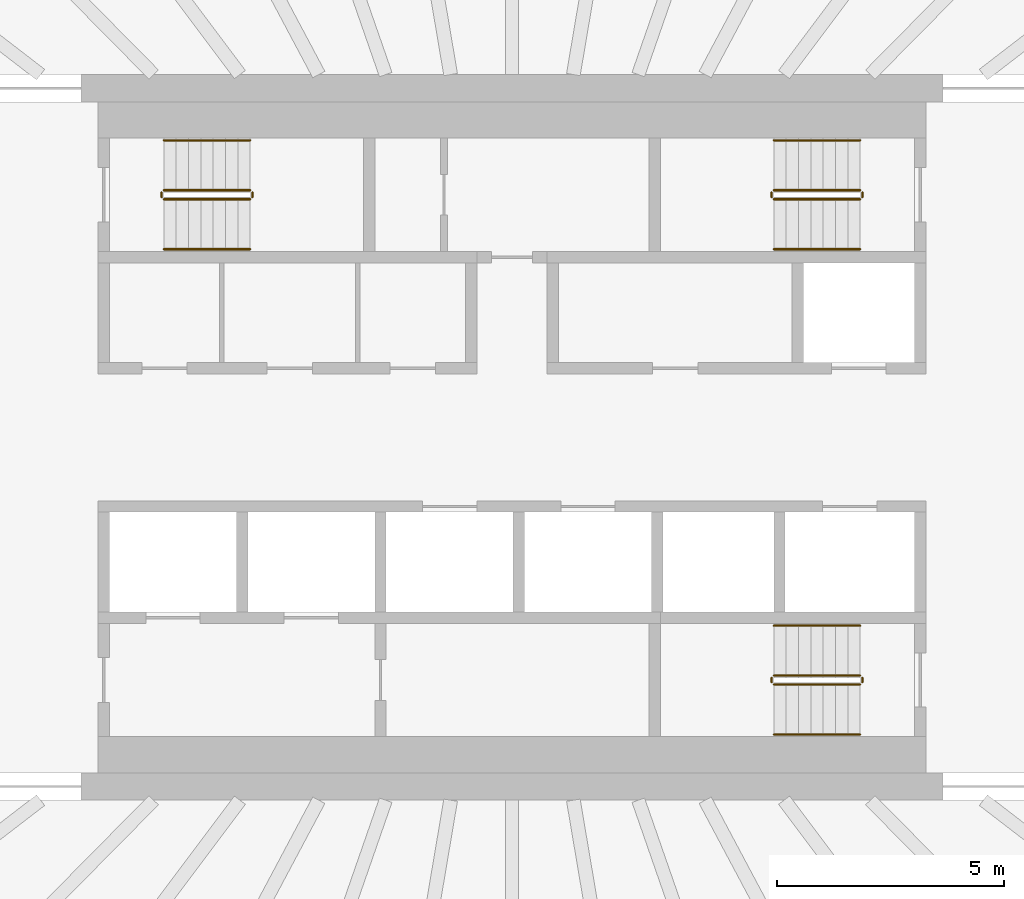
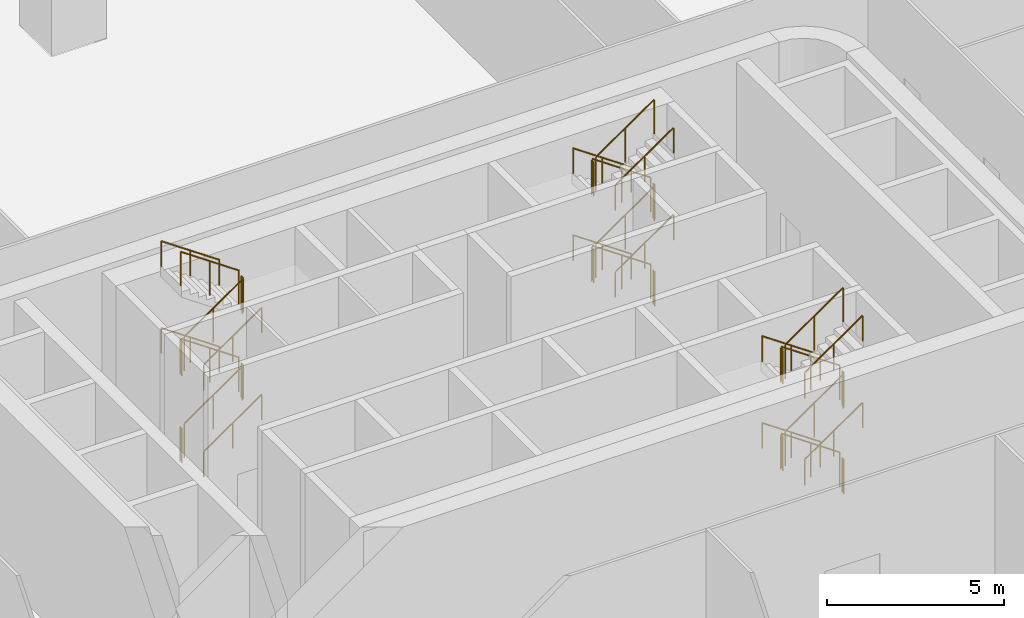
# One storey, part 36 of 37: 36 railings.
"""IFC4 building model written with IfcOpenShell, lengths in metres."""

from ifc_helpers import new_model, si_unit, direction, frame, origin, origin_2d, place, context, subcontext, project, spatial, circle, extrude, material, type_object, element, save


model = new_model("IFC4")

# Units and contexts
model_context = context("Model", 3, precision=1e-05, world=origin(), true_north=direction((0.0, 1.0)))
body_context = subcontext(model_context, "Body", "Model", "MODEL_VIEW")
ifc_project = project(units=[si_unit("LENGTHUNIT", "METRE"), si_unit("AREAUNIT", "SQUARE_METRE"), si_unit("VOLUMEUNIT", "CUBIC_METRE"), si_unit("PLANEANGLEUNIT", "RADIAN"), si_unit("MASSUNIT", "GRAM", prefix="KILO")], contexts=[model_context])

# Site, building, storey
site_placement = place(None, origin())
site = spatial("IfcSite", under=ifc_project, at=site_placement, CompositionType="ELEMENT")
building_placement = place(site_placement, origin())
building = spatial("IfcBuilding", under=site, at=building_placement, Name="Sahrelin Media Tower", CompositionType="ELEMENT")
storey_placement = place(building_placement, frame((0.0, 0.0, 31.39990234375)))
storey = spatial("IfcBuildingStorey", under=building, at=storey_placement, Name="L04", CompositionType="ELEMENT", Elevation=31.39990234375)

# Railings
ifc_material = material(Name="Steel S355", Category="steel")
railing_type_1 = type_object("IfcRailingType", Name="Stair guard 1200", PredefinedType="GUARDRAIL", material=ifc_material)
railing_1_placement = place(storey_placement, frame((-7.675048828125, 5.25, 0.1875)))
element("IfcRailing", 1, at=railing_1_placement, inside=storey, type_object=railing_type_1, Name="L04 ST1 stair guard 1", PredefinedType="GUARDRAIL", context=body_context, shape_type="SweptSolid", body=[
    extrude(circle(Radius=0.02392578125, at=origin_2d()), frame((0.0, 0.0, 1.17578125), z_axis=(0.822796852201, 0.0, 0.56833558749), x_axis=(0.0, 1.0, 0.0)), (0.0, 0.0, 1.0), 2.309326171875),
    extrude(circle(Radius=0.02099609375, at=origin_2d()), origin(), (0.0, 0.0, 1.0), 1.15185546875),
    extrude(circle(Radius=0.02099609375, at=origin_2d()), frame((0.9501953125, 0.0, 0.65625)), (0.0, 0.0, 1.0), 1.15185546875),
    extrude(circle(Radius=0.02099609375, at=origin_2d()), frame((1.900146484375, 0.0, 1.3125)), (0.0, 0.0, 1.0), 1.15185546875),
])
railing_2_placement = place(storey_placement, frame((-5.72509765625, 5.300048828125, 1.5)))
element("IfcRailing", 2, at=railing_2_placement, inside=storey, type_object=railing_type_1, Name="L04 ST1 stair guard 2", PredefinedType="GUARDRAIL", context=body_context, shape_type="SweptSolid", body=[
    extrude(circle(Radius=0.02392578125, at=origin_2d()), frame((0.0, 0.0, 1.17578125), z_axis=(0.0, 1.0, 0.0), x_axis=(-1.0, 0.0, 0.0)), (0.0, 0.0, 1.0), 0.099853515625),
    extrude(circle(Radius=0.02099609375, at=origin_2d()), origin(), (0.0, 0.0, 1.0), 1.15185546875),
    extrude(circle(Radius=0.02099609375, at=origin_2d()), frame((0.0, 0.099853515625, 0.0)), (0.0, 0.0, 1.0), 1.15185546875),
])
railing_3_placement = place(storey_placement, frame((-5.77490234375, 5.449951171875, 1.6875)))
element("IfcRailing", 3, at=railing_3_placement, inside=storey, type_object=railing_type_1, Name="L04 ST1 stair guard 3", PredefinedType="GUARDRAIL", context=body_context, shape_type="SweptSolid", body=[
    extrude(circle(Radius=0.02392578125, at=origin_2d()), frame((0.0, 0.0, 1.17578125), z_axis=(-0.822796852201, 0.0, 0.56833558749), x_axis=(0.0, -1.0, 0.0)), (0.0, 0.0, 1.0), 2.309326171875),
    extrude(circle(Radius=0.02099609375, at=origin_2d()), origin(), (0.0, 0.0, 1.0), 1.15185546875),
    extrude(circle(Radius=0.02099609375, at=origin_2d()), frame((-0.9501953125, 0.0, 0.65625)), (0.0, 0.0, 1.0), 1.15185546875),
    extrude(circle(Radius=0.02099609375, at=origin_2d()), frame((-1.900146484375, 0.0, 1.3125)), (0.0, 0.0, 1.0), 1.15185546875),
])
railing_4_placement = place(storey_placement, frame((-7.72509765625, 5.300048828125, 3.0)))
element("IfcRailing", 4, at=railing_4_placement, inside=storey, type_object=railing_type_1, Name="L04 ST1 stair guard 4", PredefinedType="GUARDRAIL", context=body_context, shape_type="SweptSolid", body=[
    extrude(circle(Radius=0.02392578125, at=origin_2d()), frame((0.0, 0.0, 1.17578125), z_axis=(0.0, 1.0, 0.0), x_axis=(-1.0, 0.0, 0.0)), (0.0, 0.0, 1.0), 0.099853515625),
    extrude(circle(Radius=0.02099609375, at=origin_2d()), origin(), (0.0, 0.0, 1.0), 1.15185546875),
    extrude(circle(Radius=0.02099609375, at=origin_2d()), frame((0.0, 0.099853515625, 0.0)), (0.0, 0.0, 1.0), 1.15185546875),
])
railing_5_placement = place(storey_placement, frame((-7.675048828125, 5.25, 3.1875)))
element("IfcRailing", 5, at=railing_5_placement, inside=storey, type_object=railing_type_1, Name="L04 ST1 stair guard 5", PredefinedType="GUARDRAIL", context=body_context, shape_type="SweptSolid", body=[
    extrude(circle(Radius=0.02392578125, at=origin_2d()), frame((0.0, 0.0, 1.17578125), z_axis=(0.822796852201, 0.0, 0.56833558749), x_axis=(0.0, 1.0, 0.0)), (0.0, 0.0, 1.0), 2.309326171875),
    extrude(circle(Radius=0.02099609375, at=origin_2d()), origin(), (0.0, 0.0, 1.0), 1.15185546875),
    extrude(circle(Radius=0.02099609375, at=origin_2d()), frame((0.9501953125, 0.0, 0.65625)), (0.0, 0.0, 1.0), 1.15185546875),
    extrude(circle(Radius=0.02099609375, at=origin_2d()), frame((1.900146484375, 0.0, 1.3125)), (0.0, 0.0, 1.0), 1.15185546875),
])
railing_6_placement = place(storey_placement, frame((-5.72509765625, 5.300048828125, 4.5)))
element("IfcRailing", 6, at=railing_6_placement, inside=storey, type_object=railing_type_1, Name="L04 ST1 stair guard 6", PredefinedType="GUARDRAIL", context=body_context, shape_type="SweptSolid", body=[
    extrude(circle(Radius=0.02392578125, at=origin_2d()), frame((0.0, 0.0, 1.17578125), z_axis=(0.0, 1.0, 0.0), x_axis=(-1.0, 0.0, 0.0)), (0.0, 0.0, 1.0), 0.099853515625),
    extrude(circle(Radius=0.02099609375, at=origin_2d()), origin(), (0.0, 0.0, 1.0), 1.15185546875),
    extrude(circle(Radius=0.02099609375, at=origin_2d()), frame((0.0, 0.099853515625, 0.0)), (0.0, 0.0, 1.0), 1.15185546875),
])
railing_7_placement = place(storey_placement, frame((-5.77490234375, 5.449951171875, 4.6875)))
element("IfcRailing", 7, at=railing_7_placement, inside=storey, type_object=railing_type_1, Name="L04 ST1 stair guard 7", PredefinedType="GUARDRAIL", context=body_context, shape_type="SweptSolid", body=[
    extrude(circle(Radius=0.02392578125, at=origin_2d()), frame((0.0, 0.0, 1.17578125), z_axis=(-0.822796852201, 0.0, 0.56833558749), x_axis=(0.0, -1.0, 0.0)), (0.0, 0.0, 1.0), 2.309326171875),
    extrude(circle(Radius=0.02099609375, at=origin_2d()), origin(), (0.0, 0.0, 1.0), 1.15185546875),
    extrude(circle(Radius=0.02099609375, at=origin_2d()), frame((-0.9501953125, 0.0, 0.65625)), (0.0, 0.0, 1.0), 1.15185546875),
    extrude(circle(Radius=0.02099609375, at=origin_2d()), frame((-1.900146484375, 0.0, 1.3125)), (0.0, 0.0, 1.0), 1.15185546875),
])
railing_8_placement = place(storey_placement, frame((-7.72509765625, 5.300048828125, 0.0)))
element("IfcRailing", 8, at=railing_8_placement, inside=storey, type_object=railing_type_1, Name="L04 ST1 stair guard 8", PredefinedType="GUARDRAIL", context=body_context, shape_type="SweptSolid", body=[
    extrude(circle(Radius=0.02392578125, at=origin_2d()), frame((0.0, 0.0, 1.17578125), z_axis=(0.0, 1.0, 0.0), x_axis=(-1.0, 0.0, 0.0)), (0.0, 0.0, 1.0), 0.099853515625),
    extrude(circle(Radius=0.02099609375, at=origin_2d()), origin(), (0.0, 0.0, 1.0), 1.15185546875),
    extrude(circle(Radius=0.02099609375, at=origin_2d()), frame((0.0, 0.099853515625, 0.0)), (0.0, 0.0, 1.0), 1.15185546875),
])
railing_9_placement = place(storey_placement, frame((7.675048828125, 5.449951171875, 0.1875)))
element("IfcRailing", 9, at=railing_9_placement, inside=storey, type_object=railing_type_1, Name="L04 ST3 stair guard 1", PredefinedType="GUARDRAIL", context=body_context, shape_type="SweptSolid", body=[
    extrude(circle(Radius=0.02392578125, at=origin_2d()), frame((0.0, 0.0, 1.17578125), z_axis=(-0.822796852201, 0.0, 0.56833558749), x_axis=(0.0, -1.0, 0.0)), (0.0, 0.0, 1.0), 2.309326171875),
    extrude(circle(Radius=0.02099609375, at=origin_2d()), origin(), (0.0, 0.0, 1.0), 1.15185546875),
    extrude(circle(Radius=0.02099609375, at=origin_2d()), frame((-0.9501953125, 0.0, 0.65625)), (0.0, 0.0, 1.0), 1.15185546875),
    extrude(circle(Radius=0.02099609375, at=origin_2d()), frame((-1.900146484375, 0.0, 1.3125)), (0.0, 0.0, 1.0), 1.15185546875),
])
railing_10_placement = place(storey_placement, frame((5.72509765625, 5.39990234375, 1.5)))
element("IfcRailing", 10, at=railing_10_placement, inside=storey, type_object=railing_type_1, Name="L04 ST3 stair guard 2", PredefinedType="GUARDRAIL", context=body_context, shape_type="SweptSolid", body=[
    extrude(circle(Radius=0.02392578125, at=origin_2d()), frame((0.0, 0.0, 1.17578125), z_axis=(0.0, -1.0, 0.0), x_axis=(1.0, 0.0, 0.0)), (0.0, 0.0, 1.0), 0.099853515625),
    extrude(circle(Radius=0.02099609375, at=origin_2d()), origin(), (0.0, 0.0, 1.0), 1.15185546875),
    extrude(circle(Radius=0.02099609375, at=origin_2d()), frame((0.0, -0.099853515625, 0.0)), (0.0, 0.0, 1.0), 1.15185546875),
])
railing_11_placement = place(storey_placement, frame((5.77490234375, 5.25, 1.6875)))
element("IfcRailing", 11, at=railing_11_placement, inside=storey, type_object=railing_type_1, Name="L04 ST3 stair guard 3", PredefinedType="GUARDRAIL", context=body_context, shape_type="SweptSolid", body=[
    extrude(circle(Radius=0.02392578125, at=origin_2d()), frame((0.0, 0.0, 1.17578125), z_axis=(0.822796852201, 0.0, 0.56833558749), x_axis=(0.0, 1.0, 0.0)), (0.0, 0.0, 1.0), 2.309326171875),
    extrude(circle(Radius=0.02099609375, at=origin_2d()), origin(), (0.0, 0.0, 1.0), 1.15185546875),
    extrude(circle(Radius=0.02099609375, at=origin_2d()), frame((0.9501953125, 0.0, 0.65625)), (0.0, 0.0, 1.0), 1.15185546875),
    extrude(circle(Radius=0.02099609375, at=origin_2d()), frame((1.900146484375, 0.0, 1.3125)), (0.0, 0.0, 1.0), 1.15185546875),
])
railing_12_placement = place(storey_placement, frame((7.72509765625, 5.39990234375, 3.0)))
element("IfcRailing", 12, at=railing_12_placement, inside=storey, type_object=railing_type_1, Name="L04 ST3 stair guard 4", PredefinedType="GUARDRAIL", context=body_context, shape_type="SweptSolid", body=[
    extrude(circle(Radius=0.02392578125, at=origin_2d()), frame((0.0, 0.0, 1.17578125), z_axis=(0.0, -1.0, 0.0), x_axis=(1.0, 0.0, 0.0)), (0.0, 0.0, 1.0), 0.099853515625),
    extrude(circle(Radius=0.02099609375, at=origin_2d()), origin(), (0.0, 0.0, 1.0), 1.15185546875),
    extrude(circle(Radius=0.02099609375, at=origin_2d()), frame((0.0, -0.099853515625, 0.0)), (0.0, 0.0, 1.0), 1.15185546875),
])
railing_13_placement = place(storey_placement, frame((7.675048828125, 5.449951171875, 3.1875)))
element("IfcRailing", 13, at=railing_13_placement, inside=storey, type_object=railing_type_1, Name="L04 ST3 stair guard 5", PredefinedType="GUARDRAIL", context=body_context, shape_type="SweptSolid", body=[
    extrude(circle(Radius=0.02392578125, at=origin_2d()), frame((0.0, 0.0, 1.17578125), z_axis=(-0.822796852201, 0.0, 0.56833558749), x_axis=(0.0, -1.0, 0.0)), (0.0, 0.0, 1.0), 2.309326171875),
    extrude(circle(Radius=0.02099609375, at=origin_2d()), origin(), (0.0, 0.0, 1.0), 1.15185546875),
    extrude(circle(Radius=0.02099609375, at=origin_2d()), frame((-0.9501953125, 0.0, 0.65625)), (0.0, 0.0, 1.0), 1.15185546875),
    extrude(circle(Radius=0.02099609375, at=origin_2d()), frame((-1.900146484375, 0.0, 1.3125)), (0.0, 0.0, 1.0), 1.15185546875),
])
railing_14_placement = place(storey_placement, frame((5.72509765625, 5.39990234375, 4.5)))
element("IfcRailing", 14, at=railing_14_placement, inside=storey, type_object=railing_type_1, Name="L04 ST3 stair guard 6", PredefinedType="GUARDRAIL", context=body_context, shape_type="SweptSolid", body=[
    extrude(circle(Radius=0.02392578125, at=origin_2d()), frame((0.0, 0.0, 1.17578125), z_axis=(0.0, -1.0, 0.0), x_axis=(1.0, 0.0, 0.0)), (0.0, 0.0, 1.0), 0.099853515625),
    extrude(circle(Radius=0.02099609375, at=origin_2d()), origin(), (0.0, 0.0, 1.0), 1.15185546875),
    extrude(circle(Radius=0.02099609375, at=origin_2d()), frame((0.0, -0.099853515625, 0.0)), (0.0, 0.0, 1.0), 1.15185546875),
])
railing_15_placement = place(storey_placement, frame((5.77490234375, 5.25, 4.6875)))
element("IfcRailing", 15, at=railing_15_placement, inside=storey, type_object=railing_type_1, Name="L04 ST3 stair guard 7", PredefinedType="GUARDRAIL", context=body_context, shape_type="SweptSolid", body=[
    extrude(circle(Radius=0.02392578125, at=origin_2d()), frame((0.0, 0.0, 1.17578125), z_axis=(0.822796852201, 0.0, 0.56833558749), x_axis=(0.0, 1.0, 0.0)), (0.0, 0.0, 1.0), 2.309326171875),
    extrude(circle(Radius=0.02099609375, at=origin_2d()), origin(), (0.0, 0.0, 1.0), 1.15185546875),
    extrude(circle(Radius=0.02099609375, at=origin_2d()), frame((0.9501953125, 0.0, 0.65625)), (0.0, 0.0, 1.0), 1.15185546875),
    extrude(circle(Radius=0.02099609375, at=origin_2d()), frame((1.900146484375, 0.0, 1.3125)), (0.0, 0.0, 1.0), 1.15185546875),
])
railing_16_placement = place(storey_placement, frame((7.72509765625, 5.39990234375, 0.0)))
element("IfcRailing", 16, at=railing_16_placement, inside=storey, type_object=railing_type_1, Name="L04 ST3 stair guard 8", PredefinedType="GUARDRAIL", context=body_context, shape_type="SweptSolid", body=[
    extrude(circle(Radius=0.02392578125, at=origin_2d()), frame((0.0, 0.0, 1.17578125), z_axis=(0.0, -1.0, 0.0), x_axis=(1.0, 0.0, 0.0)), (0.0, 0.0, 1.0), 0.099853515625),
    extrude(circle(Radius=0.02099609375, at=origin_2d()), origin(), (0.0, 0.0, 1.0), 1.15185546875),
    extrude(circle(Radius=0.02099609375, at=origin_2d()), frame((0.0, -0.099853515625, 0.0)), (0.0, 0.0, 1.0), 1.15185546875),
])
railing_17_placement = place(storey_placement, frame((7.675048828125, -5.25, 0.1875)))
element("IfcRailing", 17, at=railing_17_placement, inside=storey, type_object=railing_type_1, Name="L04 ST2 stair guard 1", PredefinedType="GUARDRAIL", context=body_context, shape_type="SweptSolid", body=[
    extrude(circle(Radius=0.02392578125, at=origin_2d()), frame((0.0, 0.0, 1.17578125), z_axis=(-0.822796852201, 0.0, 0.56833558749), x_axis=(0.0, -1.0, 0.0)), (0.0, 0.0, 1.0), 2.309326171875),
    extrude(circle(Radius=0.02099609375, at=origin_2d()), origin(), (0.0, 0.0, 1.0), 1.15185546875),
    extrude(circle(Radius=0.02099609375, at=origin_2d()), frame((-0.9501953125, 0.0, 0.65625)), (0.0, 0.0, 1.0), 1.15185546875),
    extrude(circle(Radius=0.02099609375, at=origin_2d()), frame((-1.900146484375, 0.0, 1.3125)), (0.0, 0.0, 1.0), 1.15185546875),
])
railing_18_placement = place(storey_placement, frame((5.72509765625, -5.300048828125, 1.5)))
element("IfcRailing", 18, at=railing_18_placement, inside=storey, type_object=railing_type_1, Name="L04 ST2 stair guard 2", PredefinedType="GUARDRAIL", context=body_context, shape_type="SweptSolid", body=[
    extrude(circle(Radius=0.02392578125, at=origin_2d()), frame((0.0, 0.0, 1.17578125), z_axis=(0.0, -1.0, 0.0), x_axis=(1.0, 0.0, 0.0)), (0.0, 0.0, 1.0), 0.099853515625),
    extrude(circle(Radius=0.02099609375, at=origin_2d()), origin(), (0.0, 0.0, 1.0), 1.15185546875),
    extrude(circle(Radius=0.02099609375, at=origin_2d()), frame((0.0, -0.099853515625, 0.0)), (0.0, 0.0, 1.0), 1.15185546875),
])
railing_19_placement = place(storey_placement, frame((5.77490234375, -5.449951171875, 1.6875)))
element("IfcRailing", 19, at=railing_19_placement, inside=storey, type_object=railing_type_1, Name="L04 ST2 stair guard 3", PredefinedType="GUARDRAIL", context=body_context, shape_type="SweptSolid", body=[
    extrude(circle(Radius=0.02392578125, at=origin_2d()), frame((0.0, 0.0, 1.17578125), z_axis=(0.822796852201, 0.0, 0.56833558749), x_axis=(0.0, 1.0, 0.0)), (0.0, 0.0, 1.0), 2.309326171875),
    extrude(circle(Radius=0.02099609375, at=origin_2d()), origin(), (0.0, 0.0, 1.0), 1.15185546875),
    extrude(circle(Radius=0.02099609375, at=origin_2d()), frame((0.9501953125, 0.0, 0.65625)), (0.0, 0.0, 1.0), 1.15185546875),
    extrude(circle(Radius=0.02099609375, at=origin_2d()), frame((1.900146484375, 0.0, 1.3125)), (0.0, 0.0, 1.0), 1.15185546875),
])
railing_20_placement = place(storey_placement, frame((7.72509765625, -5.300048828125, 3.0)))
element("IfcRailing", 20, at=railing_20_placement, inside=storey, type_object=railing_type_1, Name="L04 ST2 stair guard 4", PredefinedType="GUARDRAIL", context=body_context, shape_type="SweptSolid", body=[
    extrude(circle(Radius=0.02392578125, at=origin_2d()), frame((0.0, 0.0, 1.17578125), z_axis=(0.0, -1.0, 0.0), x_axis=(1.0, 0.0, 0.0)), (0.0, 0.0, 1.0), 0.099853515625),
    extrude(circle(Radius=0.02099609375, at=origin_2d()), origin(), (0.0, 0.0, 1.0), 1.15185546875),
    extrude(circle(Radius=0.02099609375, at=origin_2d()), frame((0.0, -0.099853515625, 0.0)), (0.0, 0.0, 1.0), 1.15185546875),
])
railing_21_placement = place(storey_placement, frame((7.675048828125, -5.25, 3.1875)))
element("IfcRailing", 21, at=railing_21_placement, inside=storey, type_object=railing_type_1, Name="L04 ST2 stair guard 5", PredefinedType="GUARDRAIL", context=body_context, shape_type="SweptSolid", body=[
    extrude(circle(Radius=0.02392578125, at=origin_2d()), frame((0.0, 0.0, 1.17578125), z_axis=(-0.822796852201, 0.0, 0.56833558749), x_axis=(0.0, -1.0, 0.0)), (0.0, 0.0, 1.0), 2.309326171875),
    extrude(circle(Radius=0.02099609375, at=origin_2d()), origin(), (0.0, 0.0, 1.0), 1.15185546875),
    extrude(circle(Radius=0.02099609375, at=origin_2d()), frame((-0.9501953125, 0.0, 0.65625)), (0.0, 0.0, 1.0), 1.15185546875),
    extrude(circle(Radius=0.02099609375, at=origin_2d()), frame((-1.900146484375, 0.0, 1.3125)), (0.0, 0.0, 1.0), 1.15185546875),
])
railing_22_placement = place(storey_placement, frame((5.72509765625, -5.300048828125, 4.5)))
element("IfcRailing", 22, at=railing_22_placement, inside=storey, type_object=railing_type_1, Name="L04 ST2 stair guard 6", PredefinedType="GUARDRAIL", context=body_context, shape_type="SweptSolid", body=[
    extrude(circle(Radius=0.02392578125, at=origin_2d()), frame((0.0, 0.0, 1.17578125), z_axis=(0.0, -1.0, 0.0), x_axis=(1.0, 0.0, 0.0)), (0.0, 0.0, 1.0), 0.099853515625),
    extrude(circle(Radius=0.02099609375, at=origin_2d()), origin(), (0.0, 0.0, 1.0), 1.15185546875),
    extrude(circle(Radius=0.02099609375, at=origin_2d()), frame((0.0, -0.099853515625, 0.0)), (0.0, 0.0, 1.0), 1.15185546875),
])
railing_23_placement = place(storey_placement, frame((5.77490234375, -5.449951171875, 4.6875)))
element("IfcRailing", 23, at=railing_23_placement, inside=storey, type_object=railing_type_1, Name="L04 ST2 stair guard 7", PredefinedType="GUARDRAIL", context=body_context, shape_type="SweptSolid", body=[
    extrude(circle(Radius=0.02392578125, at=origin_2d()), frame((0.0, 0.0, 1.17578125), z_axis=(0.822796852201, 0.0, 0.56833558749), x_axis=(0.0, 1.0, 0.0)), (0.0, 0.0, 1.0), 2.309326171875),
    extrude(circle(Radius=0.02099609375, at=origin_2d()), origin(), (0.0, 0.0, 1.0), 1.15185546875),
    extrude(circle(Radius=0.02099609375, at=origin_2d()), frame((0.9501953125, 0.0, 0.65625)), (0.0, 0.0, 1.0), 1.15185546875),
    extrude(circle(Radius=0.02099609375, at=origin_2d()), frame((1.900146484375, 0.0, 1.3125)), (0.0, 0.0, 1.0), 1.15185546875),
])
railing_24_placement = place(storey_placement, frame((7.72509765625, -5.300048828125, 0.0)))
element("IfcRailing", 24, at=railing_24_placement, inside=storey, type_object=railing_type_1, Name="L04 ST2 stair guard 8", PredefinedType="GUARDRAIL", context=body_context, shape_type="SweptSolid", body=[
    extrude(circle(Radius=0.02392578125, at=origin_2d()), frame((0.0, 0.0, 1.17578125), z_axis=(0.0, -1.0, 0.0), x_axis=(1.0, 0.0, 0.0)), (0.0, 0.0, 1.0), 0.099853515625),
    extrude(circle(Radius=0.02099609375, at=origin_2d()), origin(), (0.0, 0.0, 1.0), 1.15185546875),
    extrude(circle(Radius=0.02099609375, at=origin_2d()), frame((0.0, -0.099853515625, 0.0)), (0.0, 0.0, 1.0), 1.15185546875),
])
railing_type_2 = type_object("IfcRailingType", Name="Stair handrail 900", PredefinedType="HANDRAIL", material=ifc_material)
railing_25_placement = place(storey_placement, frame((-7.675048828125, 4.14990234375, 0.1875)))
element("IfcRailing", 25, at=railing_25_placement, inside=storey, type_object=railing_type_2, Name="L04 ST1 stair handrail 1", PredefinedType="HANDRAIL", context=body_context, shape_type="SweptSolid", body=[
    extrude(circle(Radius=0.02392578125, at=origin_2d()), frame((0.0, 0.0, 0.8759765625), z_axis=(0.822796852201, 0.0, 0.56833558749), x_axis=(0.0, 1.0, 0.0)), (0.0, 0.0, 1.0), 2.309326171875),
    extrude(circle(Radius=0.02099609375, at=origin_2d()), origin(), (0.0, 0.0, 1.0), 0.851806640625),
    extrude(circle(Radius=0.02099609375, at=origin_2d()), frame((0.9501953125, 0.0, 0.65625)), (0.0, 0.0, 1.0), 0.851806640625),
    extrude(circle(Radius=0.02099609375, at=origin_2d()), frame((1.900146484375, 0.0, 1.3125)), (0.0, 0.0, 1.0), 0.851806640625),
])
railing_26_placement = place(storey_placement, frame((-5.77490234375, 6.550048828125, 1.6875)))
element("IfcRailing", 26, at=railing_26_placement, inside=storey, type_object=railing_type_2, Name="L04 ST1 stair handrail 2", PredefinedType="HANDRAIL", context=body_context, shape_type="SweptSolid", body=[
    extrude(circle(Radius=0.02392578125, at=origin_2d()), frame((0.0, 0.0, 0.8759765625), z_axis=(-0.822796852201, 0.0, 0.56833558749), x_axis=(0.0, -1.0, 0.0)), (0.0, 0.0, 1.0), 2.309326171875),
    extrude(circle(Radius=0.02099609375, at=origin_2d()), origin(), (0.0, 0.0, 1.0), 0.851806640625),
    extrude(circle(Radius=0.02099609375, at=origin_2d()), frame((-0.9501953125, 0.0, 0.65625)), (0.0, 0.0, 1.0), 0.851806640625),
    extrude(circle(Radius=0.02099609375, at=origin_2d()), frame((-1.900146484375, 0.0, 1.3125)), (0.0, 0.0, 1.0), 0.851806640625),
])
railing_27_placement = place(storey_placement, frame((-7.675048828125, 4.14990234375, 3.1875)))
element("IfcRailing", 27, at=railing_27_placement, inside=storey, type_object=railing_type_2, Name="L04 ST1 stair handrail 3", PredefinedType="HANDRAIL", context=body_context, shape_type="SweptSolid", body=[
    extrude(circle(Radius=0.02392578125, at=origin_2d()), frame((0.0, 0.0, 0.8759765625), z_axis=(0.822796852201, 0.0, 0.56833558749), x_axis=(0.0, 1.0, 0.0)), (0.0, 0.0, 1.0), 2.309326171875),
    extrude(circle(Radius=0.02099609375, at=origin_2d()), origin(), (0.0, 0.0, 1.0), 0.851806640625),
    extrude(circle(Radius=0.02099609375, at=origin_2d()), frame((0.9501953125, 0.0, 0.65625)), (0.0, 0.0, 1.0), 0.851806640625),
    extrude(circle(Radius=0.02099609375, at=origin_2d()), frame((1.900146484375, 0.0, 1.3125)), (0.0, 0.0, 1.0), 0.851806640625),
])
for number, where, name in (
    (28, (-5.77490234375, 6.550048828125, 4.6875), "L04 ST1 stair handrail 4"),
    (29, (7.675048828125, 6.550048828125, 0.1875), "L04 ST3 stair handrail 1"),
):
    element("IfcRailing", number, at=place(storey_placement, frame(where)), inside=storey, type_object=railing_type_2, Name=name, PredefinedType="HANDRAIL", context=body_context, shape_type="SweptSolid", body=[
        extrude(circle(Radius=0.02392578125, at=origin_2d()), frame((0.0, 0.0, 0.8759765625), z_axis=(-0.822796852201, 0.0, 0.56833558749), x_axis=(0.0, -1.0, 0.0)), (0.0, 0.0, 1.0), 2.309326171875),
        extrude(circle(Radius=0.02099609375, at=origin_2d()), origin(), (0.0, 0.0, 1.0), 0.851806640625),
        extrude(circle(Radius=0.02099609375, at=origin_2d()), frame((-0.9501953125, 0.0, 0.65625)), (0.0, 0.0, 1.0), 0.851806640625),
        extrude(circle(Radius=0.02099609375, at=origin_2d()), frame((-1.900146484375, 0.0, 1.3125)), (0.0, 0.0, 1.0), 0.851806640625),
    ])
railing_28_placement = place(storey_placement, frame((5.77490234375, 4.14990234375, 1.6875)))
element("IfcRailing", 30, at=railing_28_placement, inside=storey, type_object=railing_type_2, Name="L04 ST3 stair handrail 2", PredefinedType="HANDRAIL", context=body_context, shape_type="SweptSolid", body=[
    extrude(circle(Radius=0.02392578125, at=origin_2d()), frame((0.0, 0.0, 0.8759765625), z_axis=(0.822796852201, 0.0, 0.56833558749), x_axis=(0.0, 1.0, 0.0)), (0.0, 0.0, 1.0), 2.309326171875),
    extrude(circle(Radius=0.02099609375, at=origin_2d()), origin(), (0.0, 0.0, 1.0), 0.851806640625),
    extrude(circle(Radius=0.02099609375, at=origin_2d()), frame((0.9501953125, 0.0, 0.65625)), (0.0, 0.0, 1.0), 0.851806640625),
    extrude(circle(Radius=0.02099609375, at=origin_2d()), frame((1.900146484375, 0.0, 1.3125)), (0.0, 0.0, 1.0), 0.851806640625),
])
railing_29_placement = place(storey_placement, frame((7.675048828125, 6.550048828125, 3.1875)))
element("IfcRailing", 31, at=railing_29_placement, inside=storey, type_object=railing_type_2, Name="L04 ST3 stair handrail 3", PredefinedType="HANDRAIL", context=body_context, shape_type="SweptSolid", body=[
    extrude(circle(Radius=0.02392578125, at=origin_2d()), frame((0.0, 0.0, 0.8759765625), z_axis=(-0.822796852201, 0.0, 0.56833558749), x_axis=(0.0, -1.0, 0.0)), (0.0, 0.0, 1.0), 2.309326171875),
    extrude(circle(Radius=0.02099609375, at=origin_2d()), origin(), (0.0, 0.0, 1.0), 0.851806640625),
    extrude(circle(Radius=0.02099609375, at=origin_2d()), frame((-0.9501953125, 0.0, 0.65625)), (0.0, 0.0, 1.0), 0.851806640625),
    extrude(circle(Radius=0.02099609375, at=origin_2d()), frame((-1.900146484375, 0.0, 1.3125)), (0.0, 0.0, 1.0), 0.851806640625),
])
railing_30_placement = place(storey_placement, frame((5.77490234375, 4.14990234375, 4.6875)))
element("IfcRailing", 32, at=railing_30_placement, inside=storey, type_object=railing_type_2, Name="L04 ST3 stair handrail 4", PredefinedType="HANDRAIL", context=body_context, shape_type="SweptSolid", body=[
    extrude(circle(Radius=0.02392578125, at=origin_2d()), frame((0.0, 0.0, 0.8759765625), z_axis=(0.822796852201, 0.0, 0.56833558749), x_axis=(0.0, 1.0, 0.0)), (0.0, 0.0, 1.0), 2.309326171875),
    extrude(circle(Radius=0.02099609375, at=origin_2d()), origin(), (0.0, 0.0, 1.0), 0.851806640625),
    extrude(circle(Radius=0.02099609375, at=origin_2d()), frame((0.9501953125, 0.0, 0.65625)), (0.0, 0.0, 1.0), 0.851806640625),
    extrude(circle(Radius=0.02099609375, at=origin_2d()), frame((1.900146484375, 0.0, 1.3125)), (0.0, 0.0, 1.0), 0.851806640625),
])
railing_31_placement = place(storey_placement, frame((7.675048828125, -4.14990234375, 0.1875)))
element("IfcRailing", 33, at=railing_31_placement, inside=storey, type_object=railing_type_2, Name="L04 ST2 stair handrail 1", PredefinedType="HANDRAIL", context=body_context, shape_type="SweptSolid", body=[
    extrude(circle(Radius=0.02392578125, at=origin_2d()), frame((0.0, 0.0, 0.8759765625), z_axis=(-0.822796852201, 0.0, 0.56833558749), x_axis=(0.0, -1.0, 0.0)), (0.0, 0.0, 1.0), 2.309326171875),
    extrude(circle(Radius=0.02099609375, at=origin_2d()), origin(), (0.0, 0.0, 1.0), 0.851806640625),
    extrude(circle(Radius=0.02099609375, at=origin_2d()), frame((-0.9501953125, 0.0, 0.65625)), (0.0, 0.0, 1.0), 0.851806640625),
    extrude(circle(Radius=0.02099609375, at=origin_2d()), frame((-1.900146484375, 0.0, 1.3125)), (0.0, 0.0, 1.0), 0.851806640625),
])
railing_32_placement = place(storey_placement, frame((5.77490234375, -6.550048828125, 1.6875)))
element("IfcRailing", 34, at=railing_32_placement, inside=storey, type_object=railing_type_2, Name="L04 ST2 stair handrail 2", PredefinedType="HANDRAIL", context=body_context, shape_type="SweptSolid", body=[
    extrude(circle(Radius=0.02392578125, at=origin_2d()), frame((0.0, 0.0, 0.8759765625), z_axis=(0.822796852201, 0.0, 0.56833558749), x_axis=(0.0, 1.0, 0.0)), (0.0, 0.0, 1.0), 2.309326171875),
    extrude(circle(Radius=0.02099609375, at=origin_2d()), origin(), (0.0, 0.0, 1.0), 0.851806640625),
    extrude(circle(Radius=0.02099609375, at=origin_2d()), frame((0.9501953125, 0.0, 0.65625)), (0.0, 0.0, 1.0), 0.851806640625),
    extrude(circle(Radius=0.02099609375, at=origin_2d()), frame((1.900146484375, 0.0, 1.3125)), (0.0, 0.0, 1.0), 0.851806640625),
])
railing_33_placement = place(storey_placement, frame((7.675048828125, -4.14990234375, 3.1875)))
element("IfcRailing", 35, at=railing_33_placement, inside=storey, type_object=railing_type_2, Name="L04 ST2 stair handrail 3", PredefinedType="HANDRAIL", context=body_context, shape_type="SweptSolid", body=[
    extrude(circle(Radius=0.02392578125, at=origin_2d()), frame((0.0, 0.0, 0.8759765625), z_axis=(-0.822796852201, 0.0, 0.56833558749), x_axis=(0.0, -1.0, 0.0)), (0.0, 0.0, 1.0), 2.309326171875),
    extrude(circle(Radius=0.02099609375, at=origin_2d()), origin(), (0.0, 0.0, 1.0), 0.851806640625),
    extrude(circle(Radius=0.02099609375, at=origin_2d()), frame((-0.9501953125, 0.0, 0.65625)), (0.0, 0.0, 1.0), 0.851806640625),
    extrude(circle(Radius=0.02099609375, at=origin_2d()), frame((-1.900146484375, 0.0, 1.3125)), (0.0, 0.0, 1.0), 0.851806640625),
])
railing_34_placement = place(storey_placement, frame((5.77490234375, -6.550048828125, 4.6875)))
element("IfcRailing", 36, at=railing_34_placement, inside=storey, type_object=railing_type_2, Name="L04 ST2 stair handrail 4", PredefinedType="HANDRAIL", context=body_context, shape_type="SweptSolid", body=[
    extrude(circle(Radius=0.02392578125, at=origin_2d()), frame((0.0, 0.0, 0.8759765625), z_axis=(0.822796852201, 0.0, 0.56833558749), x_axis=(0.0, 1.0, 0.0)), (0.0, 0.0, 1.0), 2.309326171875),
    extrude(circle(Radius=0.02099609375, at=origin_2d()), origin(), (0.0, 0.0, 1.0), 0.851806640625),
    extrude(circle(Radius=0.02099609375, at=origin_2d()), frame((0.9501953125, 0.0, 0.65625)), (0.0, 0.0, 1.0), 0.851806640625),
    extrude(circle(Radius=0.02099609375, at=origin_2d()), frame((1.900146484375, 0.0, 1.3125)), (0.0, 0.0, 1.0), 0.851806640625),
])

save(model, "model.ifc")
